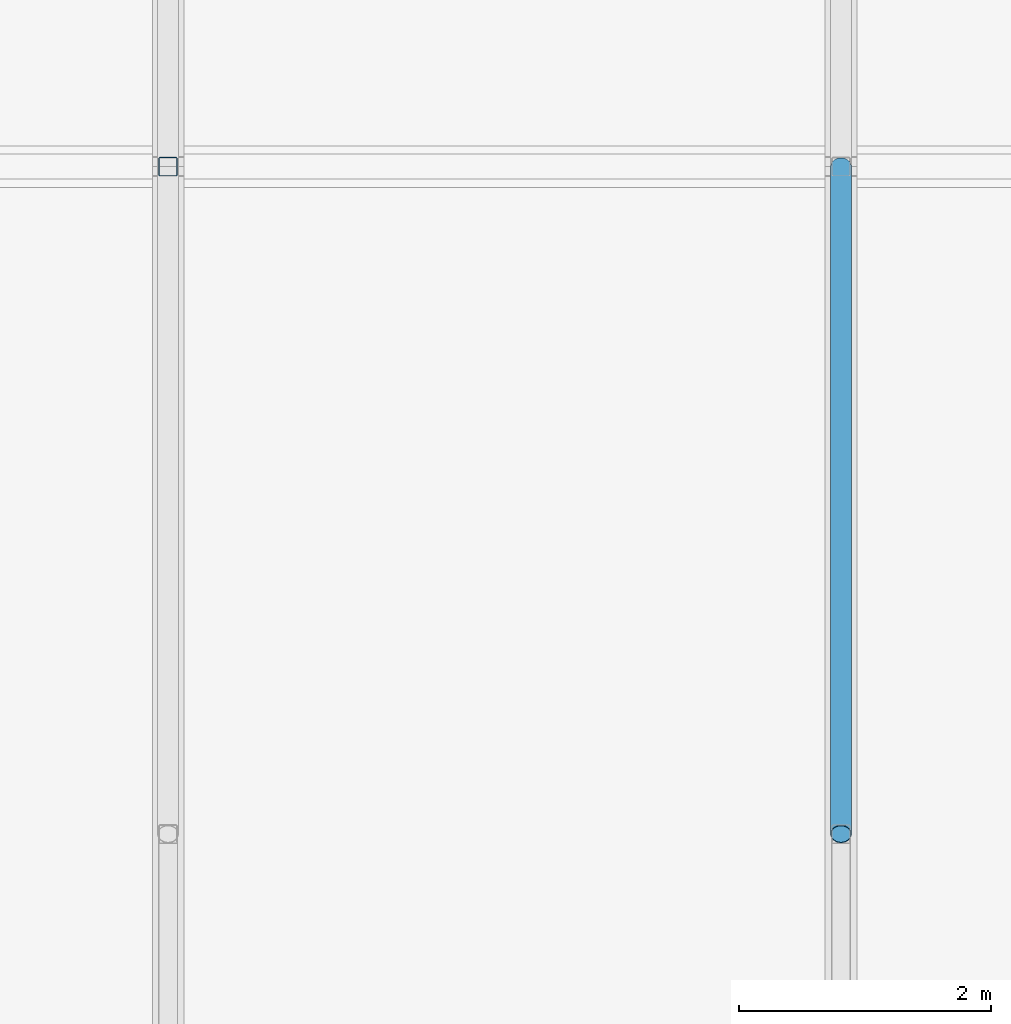
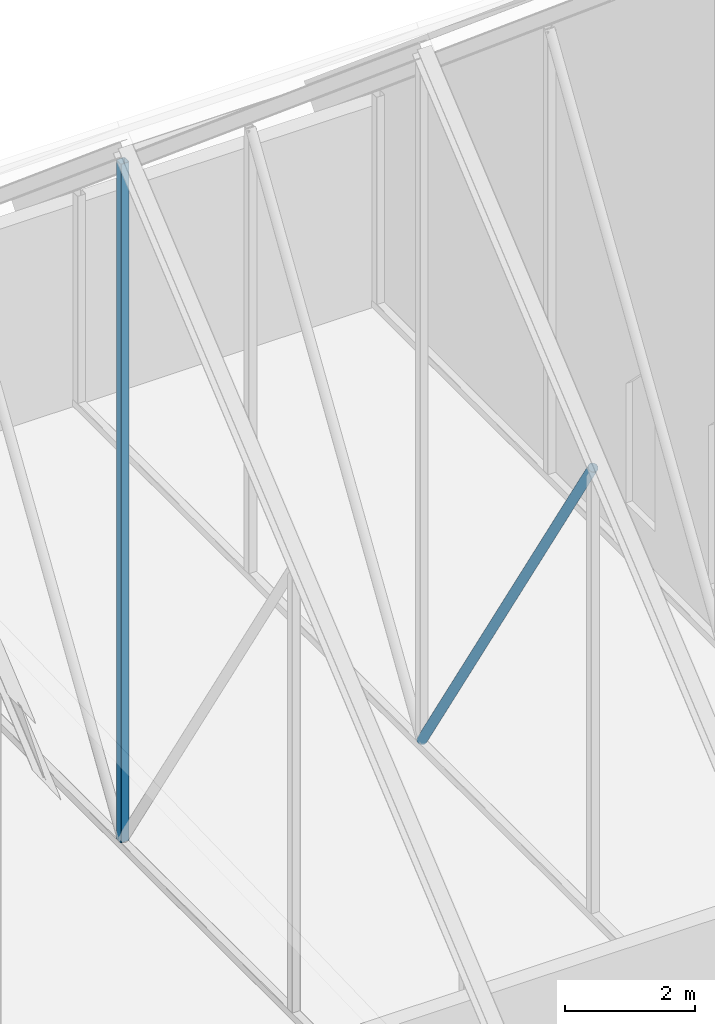
# One storey, part 11 of 29: 2 members.
"""IFC4 building model written with IfcOpenShell, lengths in metres."""

from ifc_helpers import new_model, si_unit, direction, frame, origin, origin_2d, place, context, subcontext, project, spatial, hollow_rectangle, hollow_circle, extrude, material, material_profile, profile_set, type_object, element, save


model = new_model("IFC4")

# Units and contexts
model_context = context("Model", 3, precision=1e-05, world=origin(), true_north=direction((0.0, 1.0)))
body_context = subcontext(model_context, "Body", "Model", "MODEL_VIEW")
ifc_project = project(units=[si_unit("LENGTHUNIT", "METRE"), si_unit("AREAUNIT", "SQUARE_METRE"), si_unit("VOLUMEUNIT", "CUBIC_METRE"), si_unit("PLANEANGLEUNIT", "RADIAN"), si_unit("MASSUNIT", "GRAM", prefix="KILO")], contexts=[model_context])

# Site, building, storey
site_placement = place(None, origin())
site = spatial("IfcSite", under=ifc_project, at=site_placement, CompositionType="ELEMENT")
building_placement = place(site_placement, origin())
building = spatial("IfcBuilding", under=site, at=building_placement, Name="Silangan Lancet Faculty of Sciences", CompositionType="ELEMENT")
storey_placement = place(building_placement, frame((0.0, 0.0, 54.300048828125)))
storey = spatial("IfcBuildingStorey", under=building, at=storey_placement, Name="L11", CompositionType="ELEMENT", Elevation=54.300048828125)

# Members
ifc_material_1 = material(Name="Steel STK400", Category="steel")
ifc_material_profile_1 = material_profile(ifc_material_1, hollow_circle(Radius=0.08251953125, WallThickness=0.0048828125, at=origin_2d()), Name="CHS 165.2x5.0")
ifc_profile_set_1 = profile_set([ifc_material_profile_1], Name="Steel STK400")
member_type_1 = type_object("IfcMemberType", Name="Truss diagonal CHS 165.2x5.0", PredefinedType="BRACE", material=ifc_profile_set_1)
member_1_placement = place(storey_placement, frame((23.19384765625, 46.800048828125, 0.14990234375), z_axis=(0.0, -0.535296081425, 0.84466449269), x_axis=(1.0, 0.0, 0.0)))
element("IfcMember", 1, at=member_1_placement, inside=storey, type_object=member_type_1, Name="Gable truss 4 diagonal S", PredefinedType="BRACE", context=body_context, shape_type="SweptSolid", body=[
    extrude(hollow_circle(Radius=0.08251953125, WallThickness=0.0048828125, at=origin_2d()), origin(), (0.0, 0.0, 1.0), 9.8779296875),
])
ifc_material_2 = material(Name="Steel STKR400", Category="steel")
ifc_material_profile_2 = material_profile(ifc_material_2, hollow_rectangle(XDim=0.14990234375, YDim=0.14990234375, WallThickness=0.006103515625, InnerFilletRadius=0.006103515625, OuterFilletRadius=0.011962890625, at=origin_2d()), Name="SHS 150x150x6.0")
ifc_profile_set_2 = profile_set([ifc_material_profile_2], Name="Steel STKR400")
member_type_2 = type_object("IfcMemberType", Name="Truss post SHS 150x150x6.0", PredefinedType="POST", material=ifc_profile_set_2)
member_2_placement = place(storey_placement, frame((17.862548828125, 46.800048828125, 0.14990234375), z_axis=(0.0, 0.0, 1.0), x_axis=(1.0, 0.0, 0.0)))
element("IfcMember", 2, at=member_2_placement, inside=storey, type_object=member_type_2, Name="Gable truss 3 king post", PredefinedType="POST", context=body_context, shape_type="SweptSolid", body=[
    extrude(hollow_rectangle(XDim=0.14990234375, YDim=0.14990234375, WallThickness=0.006103515625, InnerFilletRadius=0.006103515625, OuterFilletRadius=0.011962890625, at=origin_2d()), origin(), (0.0, 0.0, 1.0), 12.78515625),
])

save(model, "model.ifc")
